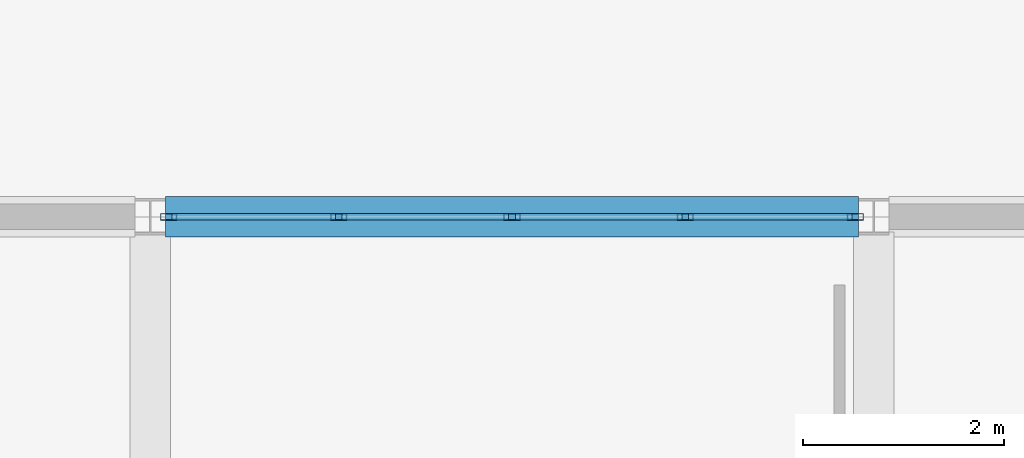
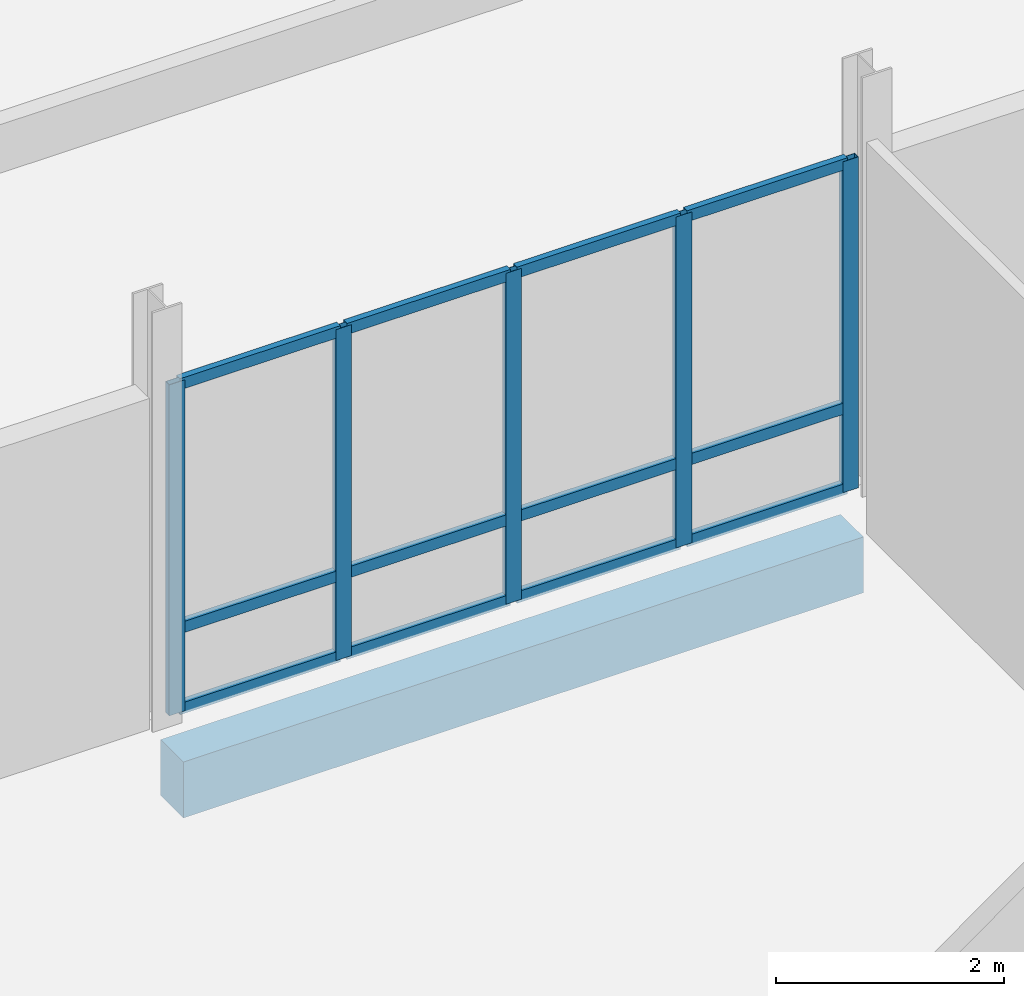
# One storey, part 44 of 139: 17 members, 1 beam, 1 element without a shape of its own.
"""IFC4 building model written with IfcOpenShell, lengths in metres."""

import ifcopenshell
import ifcopenshell.guid

model = None  # the IFC model being written
_history = None  # IfcOwnerHistory: only IFC2X3 demands one
_inside = {}  # id of a spatial element -> (the spatial element, [elements in it])
_under = {}  # id of a project, library or spatial element -> (it, [spatial elements below it])
_declared = {}  # id of a project -> (the project, [libraries it declares])
_typed = {}  # id of a type object -> (the type object, [elements of that type])
_made_of = {}  # id of a material, layer set ... -> (it, [elements and type objects made of it])


def new_model(schema):
    """Start an empty IFC model of exactly this schema.

    Asked for "IFC4X3", IfcOpenShell would pick the latest addendum, in which some entities
    have other attributes; the version numbers below select the first issue.
    IFC2X3 requires an IfcOwnerHistory on every rooted entity: one is made here for all.
    """
    global model, _history
    if schema == "IFC4X3":
        model = ifcopenshell.file(schema_version=(4, 3, 0, 0))
    else:
        model = ifcopenshell.file(schema=schema)
    _inside.clear()
    _under.clear()
    _declared.clear()
    _typed.clear()
    _made_of.clear()
    _history = None
    if model.schema == "IFC2X3":
        org = make("IfcOrganization", Name="unknown")
        user = make(
            "IfcPersonAndOrganization",
            ThePerson=make("IfcPerson", FamilyName="unknown"),
            TheOrganization=org,
        )
        app = make(
            "IfcApplication",
            ApplicationDeveloper=org,
            Version="unknown",
            ApplicationFullName="unknown",
            ApplicationIdentifier="unknown",
        )
        _history = make(
            "IfcOwnerHistory",
            OwningUser=user,
            OwningApplication=app,
            ChangeAction="ADDED",
            CreationDate=0,
        )
    return model


def make(cls, **values):
    """One entity of the class cls with the attributes given. An attribute that is None is left unset."""
    return model.create_entity(
        cls, **{name: value for name, value in values.items() if value is not None}
    )


def rooted(cls, **values):
    """An entity with a GlobalId (a new one), such as an element, a storey or a relation."""
    return make(cls, GlobalId=ifcopenshell.guid.new(), OwnerHistory=_history, **values)


def si_unit(unit_type, name, prefix=None):
    """IfcSIUnit, for example si_unit("LENGTHUNIT", "METRE", prefix="MILLI")."""
    return make("IfcSIUnit", UnitType=unit_type, Prefix=prefix, Name=name)


def assignment(units):
    """IfcUnitAssignment: the units of a project."""
    return None if units is None else make("IfcUnitAssignment", Units=units)


def point(xyz):
    """IfcCartesianPoint."""
    return None if xyz is None else make("IfcCartesianPoint", Coordinates=xyz)


def direction(xyz):
    """IfcDirection."""
    return None if xyz is None else make("IfcDirection", DirectionRatios=xyz)


def frame(location, z_axis=None, x_axis=None):
    """IfcAxis2Placement3D, a coordinate frame: its origin and axes. An axis left out is left unset."""
    return make(
        "IfcAxis2Placement3D",
        Location=point(location),
        Axis=direction(z_axis),
        RefDirection=direction(x_axis),
    )


def frame_2d(location, x_axis=None):
    """IfcAxis2Placement2D, a coordinate frame in the plane: its origin and x axis."""
    return make(
        "IfcAxis2Placement2D", Location=point(location), RefDirection=direction(x_axis)
    )


def origin():
    """The frame at (0, 0, 0) with its axes left unset."""
    return frame((0.0, 0.0, 0.0))


def origin_2d():
    """The frame at (0, 0) in the plane with its x axis left unset."""
    return frame_2d((0.0, 0.0))


def place(relative_to, where):
    """IfcLocalPlacement: puts the frame where relative to a parent placement (None: the world)."""
    return make(
        "IfcLocalPlacement", PlacementRelTo=relative_to, RelativePlacement=where
    )


def context(
    kind, dimensions, precision=None, world=None, true_north=None, identifier=None
):
    """IfcGeometricRepresentationContext, for example the 3D "Model" context."""
    return make(
        "IfcGeometricRepresentationContext",
        ContextIdentifier=identifier,
        ContextType=kind,
        CoordinateSpaceDimension=dimensions,
        Precision=precision,
        WorldCoordinateSystem=world,
        TrueNorth=true_north,
    )


def subcontext(parent, identifier, kind, view, scale=None):
    """IfcGeometricRepresentationSubContext, for example "Body" below "Model"."""
    return make(
        "IfcGeometricRepresentationSubContext",
        ContextIdentifier=identifier,
        ContextType=kind,
        ParentContext=parent,
        TargetScale=scale,
        TargetView=view,
    )


def project(units=None, contexts=None):
    """IfcProject with its units and contexts."""
    return rooted(
        "IfcProject",
        Name="project",
        RepresentationContexts=contexts,
        UnitsInContext=assignment(units),
    )


def spatial(cls, under=None, at=None, **own):
    """A site, building, storey or space (cls), placed at a placement, below another one or the project."""
    s = rooted(cls, ObjectPlacement=at, **own)
    if under is not None:
        _under.setdefault(under.id(), (under, []))[1].append(s)
    return s


def profile(cls, at=None, kind="AREA", **sizes):
    """A parametric profile (cls). Its sizes go by their IFC names, for example OverallWidth=200.0."""
    return make(cls, ProfileType=kind, Position=at, **sizes)


def rectangle(**sizes):
    """IfcRectangleProfileDef."""
    return profile("IfcRectangleProfileDef", **sizes)


def hollow_rectangle(**sizes):
    """IfcRectangleHollowProfileDef."""
    return profile("IfcRectangleHollowProfileDef", **sizes)


def extrude(swept, where, along, depth):
    """IfcExtrudedAreaSolid: the profile swept, set in the frame where, extruded along a direction by depth."""
    return make(
        "IfcExtrudedAreaSolid",
        SweptArea=swept,
        Position=where,
        ExtrudedDirection=direction(along),
        Depth=depth,
    )


def shape(context_of_items, identifier, shape_type, items):
    """IfcShapeRepresentation: the items that make up one representation, for example the "Body"."""
    return make(
        "IfcShapeRepresentation",
        ContextOfItems=context_of_items,
        RepresentationIdentifier=identifier,
        RepresentationType=shape_type,
        Items=items,
    )


def material(Name=None, Category=None):
    """IfcMaterial."""
    return make("IfcMaterial", Name=Name, Category=Category)


def material_profile(
    of_material, cross_section, Name=None, Category=None, Priority=None
):
    """IfcMaterialProfile: a cross section and its material."""
    return make(
        "IfcMaterialProfile",
        Name=Name,
        Material=of_material,
        Profile=cross_section,
        Priority=Priority,
        Category=Category,
    )


def profile_set(profiles, Name=None, composite=None):
    """IfcMaterialProfileSet."""
    return make(
        "IfcMaterialProfileSet",
        Name=Name,
        MaterialProfiles=profiles,
        CompositeProfile=composite,
    )


def made_of(thing, what):
    """Note that an element or type object is made of a material, layer set ...; save() writes the relation."""
    if what is not None:
        _made_of.setdefault(what.id(), (what, []))[1].append(thing)
    return thing


def type_object(cls, material=None, **own):
    """A type object (cls), such as IfcWallType, which elements share."""
    return made_of(rooted(cls, **own), material)


def element(
    cls,
    number,
    at=None,
    inside=None,
    cuts=None,
    type_object=None,
    material=None,
    context=None,
    identifier="Body",
    shape_type=None,
    held_by="IfcProductDefinitionShape",
    body=None,
    shapes=None,
    **own,
):
    """One element of the class cls, such as IfcWall. Its Tag is "e" and its number.

    at: its placement. inside: the storey or other place that contains it. cuts: it is an
    opening in that element (IfcRelVoidsElement). A single representation is given by context,
    identifier, shape_type and body (its items); several are given by shapes. held_by: the class
    of the entity that holds the representations. save() writes the other relations.
    """
    e = rooted(cls, Tag="e%d" % number, ObjectPlacement=at, **own)
    if body is not None:
        shapes = [shape(context, identifier, shape_type, body)]
    if shapes is not None:
        e.Representation = make(held_by, Representations=shapes)
    if inside is not None:
        _inside.setdefault(inside.id(), (inside, []))[1].append(e)
    if cuts is not None:
        rooted(
            "IfcRelVoidsElement", RelatingBuildingElement=cuts, RelatedOpeningElement=e
        )
    if type_object is not None:
        _typed.setdefault(type_object.id(), (type_object, []))[1].append(e)
    return made_of(e, material)


def aggregate(whole, parts):
    """IfcRelAggregates: a whole, such as a stair, and the parts it consists of."""
    return rooted("IfcRelAggregates", RelatingObject=whole, RelatedObjects=parts)


def save(model, path):
    """Write the relations noted so far, then the file.

    IfcRelAggregates (storeys below a building ...), IfcRelContainedInSpatialStructure (elements
    in a storey), IfcRelDefinesByType, IfcRelAssociatesMaterial and IfcRelDeclares: one each for
    every whole, place, type object, material and project.
    """
    for whole, parts in _under.values():
        aggregate(whole, parts)
    for where, things in _inside.values():
        rooted(
            "IfcRelContainedInSpatialStructure",
            RelatedElements=things,
            RelatingStructure=where,
        )
    for kind, things in _typed.values():
        rooted("IfcRelDefinesByType", RelatedObjects=things, RelatingType=kind)
    for what, things in _made_of.values():
        rooted("IfcRelAssociatesMaterial", RelatedObjects=things, RelatingMaterial=what)
    for by, libraries in _declared.values():
        rooted("IfcRelDeclares", RelatingContext=by, RelatedDefinitions=libraries)
    model.write(path)


model = new_model("IFC4")

# Units and contexts
model_context = context("Model", 3, precision=1e-05, world=origin(), true_north=direction((0.0, 1.0)))
body_context = subcontext(model_context, "Body", "Model", "MODEL_VIEW")
ifc_project = project(units=[si_unit("LENGTHUNIT", "METRE"), si_unit("AREAUNIT", "SQUARE_METRE"), si_unit("VOLUMEUNIT", "CUBIC_METRE"), si_unit("PLANEANGLEUNIT", "RADIAN"), si_unit("MASSUNIT", "GRAM", prefix="KILO")], contexts=[model_context])

# Site, building, storey
site_placement = place(None, origin())
site = spatial("IfcSite", under=ifc_project, at=site_placement, CompositionType="ELEMENT")
building_placement = place(site_placement, origin())
building = spatial("IfcBuilding", under=site, at=building_placement, Name="Suanplinth Sawtooth Commons", CompositionType="ELEMENT")
storey_placement = place(building_placement, origin())
storey = spatial("IfcBuildingStorey", under=building, at=storey_placement, Name="L00", CompositionType="ELEMENT", Elevation=0.0)

# Beam
ifc_material_1 = material(Name="Precast concrete C40/50", Category="concrete")
ifc_material_profile_1 = material_profile(ifc_material_1, rectangle(XDim=0.39990234375, YDim=0.60009765625, at=origin_2d()), Name="PC-GDR 400x600")
ifc_profile_set_1 = profile_set([ifc_material_profile_1], Name="Precast concrete C40/50")
beam_type = type_object("IfcBeamType", Name="B-05", PredefinedType="USERDEFINED", material=ifc_profile_set_1)
beam_placement = place(storey_placement, frame((21.75, 72.0, -0.7099609375), z_axis=(1.0, 0.0, 0.0), x_axis=(0.0, 1.0, 0.0)))
element("IfcBeam", 1, at=beam_placement, inside=storey, type_object=beam_type, Name="BMX-L00-MKT-3-10", ObjectType="GIRDER", PredefinedType="USERDEFINED", context=body_context, shape_type="SweptSolid", body=[
    extrude(rectangle(XDim=0.39990234375, YDim=0.60009765625, at=origin_2d()), origin(), (0.0, 0.0, 1.0), 6.89990234375),
])

# Curtain wall, members
ifc_material_2 = material(Name="Anodized aluminium and low-E glazing", Category="aluminium")
curtain_wall_type = type_object("IfcCurtainWallType", Name="CW-02", PredefinedType="USERDEFINED", material=ifc_material_2)
curtain_wall_placement = place(storey_placement, origin())
curtain_wall = element("IfcCurtainWall", 2, at=curtain_wall_placement, inside=storey, type_object=curtain_wall_type, Name="Curtain Wall CW-L00-MKT-N-3", ObjectType="CURTAIN WALL", PredefinedType="USERDEFINED")
ifc_material_3 = material(Name="Anodized aluminium 6063-T6", Category="aluminium")
ifc_material_profile_2 = material_profile(ifc_material_3, hollow_rectangle(XDim=0.06494140625, YDim=0.159912109375, WallThickness=0.00390625, at=origin_2d()), Name="ALU-MUL 65x160")
ifc_profile_set_2 = profile_set([ifc_material_profile_2], Name="Anodized aluminium 6063-T6")
member_type_1 = type_object("IfcMemberType", Name="M-13", PredefinedType="MULLION", material=ifc_profile_set_2)
member_1_placement = place(storey_placement, frame((21.782470703125, 72.0, 0.0), z_axis=(0.0, 0.0, 1.0), x_axis=(0.0, 1.0, 0.0)))
member_1 = element("IfcMember", 3, at=member_1_placement, type_object=member_type_1, Name="CW-02 mullion 1", PredefinedType="MULLION", context=body_context, shape_type="SweptSolid", body=[
    extrude(hollow_rectangle(XDim=0.06494140625, YDim=0.159912109375, WallThickness=0.00390625, at=origin_2d()), origin(), (0.0, 0.0, 1.0), 3.550048828125),
])
member_2_placement = place(storey_placement, frame((23.47509765625, 72.0, 0.0), z_axis=(0.0, 0.0, 1.0), x_axis=(0.0, 1.0, 0.0)))
member_2 = element("IfcMember", 4, at=member_2_placement, type_object=member_type_1, Name="CW-02 mullion 2", PredefinedType="MULLION", context=body_context, shape_type="SweptSolid", body=[
    extrude(hollow_rectangle(XDim=0.06494140625, YDim=0.159912109375, WallThickness=0.00390625, at=origin_2d()), origin(), (0.0, 0.0, 1.0), 3.550048828125),
])
member_3_placement = place(storey_placement, frame((25.199951171875, 72.0, 0.0), z_axis=(0.0, 0.0, 1.0), x_axis=(0.0, 1.0, 0.0)))
member_3 = element("IfcMember", 5, at=member_3_placement, type_object=member_type_1, Name="CW-02 mullion 3", PredefinedType="MULLION", context=body_context, shape_type="SweptSolid", body=[
    extrude(hollow_rectangle(XDim=0.06494140625, YDim=0.159912109375, WallThickness=0.00390625, at=origin_2d()), origin(), (0.0, 0.0, 1.0), 3.550048828125),
])
member_4_placement = place(storey_placement, frame((26.925048828125, 72.0, 0.0), z_axis=(0.0, 0.0, 1.0), x_axis=(0.0, 1.0, 0.0)))
member_4 = element("IfcMember", 6, at=member_4_placement, type_object=member_type_1, Name="CW-02 mullion 4", PredefinedType="MULLION", context=body_context, shape_type="SweptSolid", body=[
    extrude(hollow_rectangle(XDim=0.06494140625, YDim=0.159912109375, WallThickness=0.00390625, at=origin_2d()), origin(), (0.0, 0.0, 1.0), 3.550048828125),
])
member_5_placement = place(storey_placement, frame((28.617431640625, 72.0, 0.0), z_axis=(0.0, 0.0, 1.0), x_axis=(0.0, 1.0, 0.0)))
member_5 = element("IfcMember", 7, at=member_5_placement, type_object=member_type_1, Name="CW-02 mullion 5", PredefinedType="MULLION", context=body_context, shape_type="SweptSolid", body=[
    extrude(hollow_rectangle(XDim=0.06494140625, YDim=0.159912109375, WallThickness=0.00390625, at=origin_2d()), origin(), (0.0, 0.0, 1.0), 3.550048828125),
])
ifc_material_profile_3 = material_profile(ifc_material_3, hollow_rectangle(XDim=0.06494140625, YDim=0.1201171875, WallThickness=0.00390625, at=origin_2d()), Name="ALU-TRN 65x120")
ifc_profile_set_3 = profile_set([ifc_material_profile_3], Name="Anodized aluminium 6063-T6")
member_type_2 = type_object("IfcMemberType", Name="M-15", PredefinedType="USERDEFINED", material=ifc_profile_set_3)
member_6_placement = place(storey_placement, frame((21.81494140625, 72.0, 0.032470703125), z_axis=(1.0, 0.0, 0.0), x_axis=(0.0, 1.0, 0.0)))
member_6 = element("IfcMember", 8, at=member_6_placement, type_object=member_type_2, Name="CW-02 transom 1.1", ObjectType="TRANSOM", PredefinedType="USERDEFINED", context=body_context, shape_type="SweptSolid", body=[
    extrude(hollow_rectangle(XDim=0.06494140625, YDim=0.1201171875, WallThickness=0.00390625, at=origin_2d()), origin(), (0.0, 0.0, 1.0), 1.62744140625),
])
member_7_placement = place(storey_placement, frame((21.81494140625, 72.0, 0.89990234375), z_axis=(1.0, 0.0, 0.0), x_axis=(0.0, 1.0, 0.0)))
member_7 = element("IfcMember", 9, at=member_7_placement, type_object=member_type_2, Name="CW-02 transom 1.2", ObjectType="TRANSOM", PredefinedType="USERDEFINED", context=body_context, shape_type="SweptSolid", body=[
    extrude(hollow_rectangle(XDim=0.06494140625, YDim=0.1201171875, WallThickness=0.00390625, at=origin_2d()), origin(), (0.0, 0.0, 1.0), 1.62744140625),
])
member_8_placement = place(storey_placement, frame((21.81494140625, 72.0, 3.517578125), z_axis=(1.0, 0.0, 0.0), x_axis=(0.0, 1.0, 0.0)))
member_8 = element("IfcMember", 10, at=member_8_placement, type_object=member_type_2, Name="CW-02 transom 1.3", ObjectType="TRANSOM", PredefinedType="USERDEFINED", context=body_context, shape_type="SweptSolid", body=[
    extrude(hollow_rectangle(XDim=0.06494140625, YDim=0.1201171875, WallThickness=0.00390625, at=origin_2d()), origin(), (0.0, 0.0, 1.0), 1.62744140625),
])
member_9_placement = place(storey_placement, frame((23.507568359375, 72.0, 0.032470703125), z_axis=(1.0, 0.0, 0.0), x_axis=(0.0, 1.0, 0.0)))
member_9 = element("IfcMember", 11, at=member_9_placement, type_object=member_type_2, Name="CW-02 transom 2.1", ObjectType="TRANSOM", PredefinedType="USERDEFINED", context=body_context, shape_type="SweptSolid", body=[
    extrude(hollow_rectangle(XDim=0.06494140625, YDim=0.1201171875, WallThickness=0.00390625, at=origin_2d()), origin(), (0.0, 0.0, 1.0), 1.659912109375),
])
member_10_placement = place(storey_placement, frame((23.507568359375, 72.0, 0.89990234375), z_axis=(1.0, 0.0, 0.0), x_axis=(0.0, 1.0, 0.0)))
member_10 = element("IfcMember", 12, at=member_10_placement, type_object=member_type_2, Name="CW-02 transom 2.2", ObjectType="TRANSOM", PredefinedType="USERDEFINED", context=body_context, shape_type="SweptSolid", body=[
    extrude(hollow_rectangle(XDim=0.06494140625, YDim=0.1201171875, WallThickness=0.00390625, at=origin_2d()), origin(), (0.0, 0.0, 1.0), 1.659912109375),
])
member_11_placement = place(storey_placement, frame((23.507568359375, 72.0, 3.517578125), z_axis=(1.0, 0.0, 0.0), x_axis=(0.0, 1.0, 0.0)))
member_11 = element("IfcMember", 13, at=member_11_placement, type_object=member_type_2, Name="CW-02 transom 2.3", ObjectType="TRANSOM", PredefinedType="USERDEFINED", context=body_context, shape_type="SweptSolid", body=[
    extrude(hollow_rectangle(XDim=0.06494140625, YDim=0.1201171875, WallThickness=0.00390625, at=origin_2d()), origin(), (0.0, 0.0, 1.0), 1.659912109375),
])
member_12_placement = place(storey_placement, frame((25.232421875, 72.0, 0.032470703125), z_axis=(1.0, 0.0, 0.0), x_axis=(0.0, 1.0, 0.0)))
member_12 = element("IfcMember", 14, at=member_12_placement, type_object=member_type_2, Name="CW-02 transom 3.1", ObjectType="TRANSOM", PredefinedType="USERDEFINED", context=body_context, shape_type="SweptSolid", body=[
    extrude(hollow_rectangle(XDim=0.06494140625, YDim=0.1201171875, WallThickness=0.00390625, at=origin_2d()), origin(), (0.0, 0.0, 1.0), 1.66015625),
])
member_13_placement = place(storey_placement, frame((25.232421875, 72.0, 0.89990234375), z_axis=(1.0, 0.0, 0.0), x_axis=(0.0, 1.0, 0.0)))
member_13 = element("IfcMember", 15, at=member_13_placement, type_object=member_type_2, Name="CW-02 transom 3.2", ObjectType="TRANSOM", PredefinedType="USERDEFINED", context=body_context, shape_type="SweptSolid", body=[
    extrude(hollow_rectangle(XDim=0.06494140625, YDim=0.1201171875, WallThickness=0.00390625, at=origin_2d()), origin(), (0.0, 0.0, 1.0), 1.66015625),
])
member_14_placement = place(storey_placement, frame((25.232421875, 72.0, 3.517578125), z_axis=(1.0, 0.0, 0.0), x_axis=(0.0, 1.0, 0.0)))
member_14 = element("IfcMember", 16, at=member_14_placement, type_object=member_type_2, Name="CW-02 transom 3.3", ObjectType="TRANSOM", PredefinedType="USERDEFINED", context=body_context, shape_type="SweptSolid", body=[
    extrude(hollow_rectangle(XDim=0.06494140625, YDim=0.1201171875, WallThickness=0.00390625, at=origin_2d()), origin(), (0.0, 0.0, 1.0), 1.66015625),
])
member_15_placement = place(storey_placement, frame((26.95751953125, 72.0, 0.032470703125), z_axis=(1.0, 0.0, 0.0), x_axis=(0.0, 1.0, 0.0)))
member_15 = element("IfcMember", 17, at=member_15_placement, type_object=member_type_2, Name="CW-02 transom 4.1", ObjectType="TRANSOM", PredefinedType="USERDEFINED", context=body_context, shape_type="SweptSolid", body=[
    extrude(hollow_rectangle(XDim=0.06494140625, YDim=0.1201171875, WallThickness=0.00390625, at=origin_2d()), origin(), (0.0, 0.0, 1.0), 1.62744140625),
])
member_16_placement = place(storey_placement, frame((26.95751953125, 72.0, 0.89990234375), z_axis=(1.0, 0.0, 0.0), x_axis=(0.0, 1.0, 0.0)))
member_16 = element("IfcMember", 18, at=member_16_placement, type_object=member_type_2, Name="CW-02 transom 4.2", ObjectType="TRANSOM", PredefinedType="USERDEFINED", context=body_context, shape_type="SweptSolid", body=[
    extrude(hollow_rectangle(XDim=0.06494140625, YDim=0.1201171875, WallThickness=0.00390625, at=origin_2d()), origin(), (0.0, 0.0, 1.0), 1.62744140625),
])
member_17_placement = place(storey_placement, frame((26.95751953125, 72.0, 3.517578125), z_axis=(1.0, 0.0, 0.0), x_axis=(0.0, 1.0, 0.0)))
member_17 = element("IfcMember", 19, at=member_17_placement, type_object=member_type_2, Name="CW-02 transom 4.3", ObjectType="TRANSOM", PredefinedType="USERDEFINED", context=body_context, shape_type="SweptSolid", body=[
    extrude(hollow_rectangle(XDim=0.06494140625, YDim=0.1201171875, WallThickness=0.00390625, at=origin_2d()), origin(), (0.0, 0.0, 1.0), 1.62744140625),
])
aggregate(curtain_wall, [member_1, member_2, member_3, member_4, member_5, member_6, member_7, member_8, member_9, member_10, member_11, member_12, member_13, member_14, member_15, member_16, member_17])

save(model, "model.ifc")
